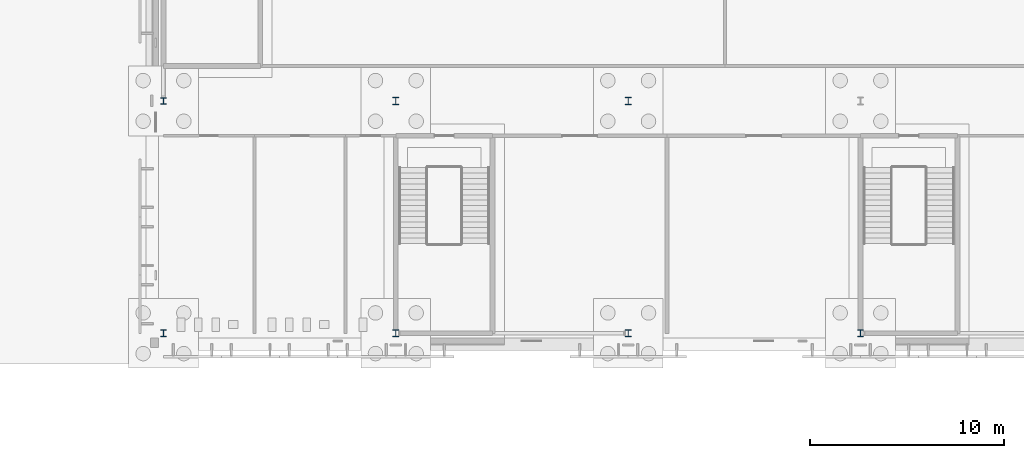
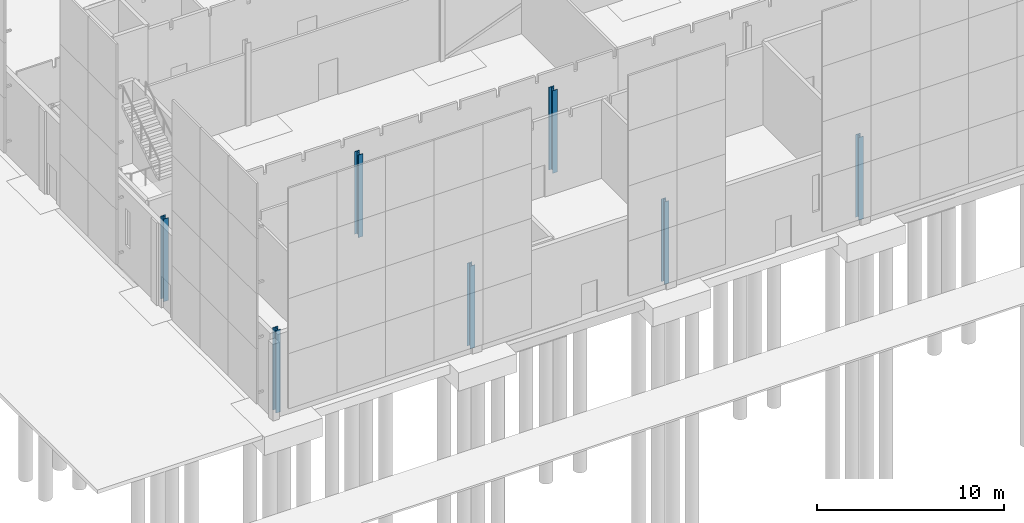
# One storey, part 13 of 132: 7 columns.
"""IFC4 building model written with IfcOpenShell, lengths in metres."""

from ifc_helpers import new_model, si_unit, direction, frame, origin, origin_2d, place, context, subcontext, project, spatial, i_section, extrude, material, material_profile, profile_set, type_object, element, save


model = new_model("IFC4")

# Units and contexts
model_context = context("Model", 3, precision=1e-05, world=origin(), true_north=direction((0.0, 1.0)))
body_context = subcontext(model_context, "Body", "Model", "MODEL_VIEW")
ifc_project = project(units=[si_unit("LENGTHUNIT", "METRE"), si_unit("AREAUNIT", "SQUARE_METRE"), si_unit("VOLUMEUNIT", "CUBIC_METRE"), si_unit("PLANEANGLEUNIT", "RADIAN"), si_unit("MASSUNIT", "GRAM", prefix="KILO")], contexts=[model_context])

# Site, building, storey
site_placement = place(None, origin())
site = spatial("IfcSite", under=ifc_project, at=site_placement, CompositionType="ELEMENT")
building_placement = place(site_placement, origin())
building = spatial("IfcBuilding", under=site, at=building_placement, Name="Ravi Spectrum Wholesale Market", CompositionType="ELEMENT")
storey_placement = place(building_placement, origin())
storey = spatial("IfcBuildingStorey", under=building, at=storey_placement, Name="L00", CompositionType="ELEMENT", Elevation=0.0)

# Columns
ifc_material_1 = material(Name="Steel S355", Category="steel")
ifc_material_profile_1 = material_profile(ifc_material_1, i_section(OverallWidth=0.300048828125, OverallDepth=0.340087890625, WebThickness=0.011962890625, FlangeThickness=0.021484375, at=origin_2d()))
ifc_profile_set_1 = profile_set([ifc_material_profile_1], Name="Steel S355")
column_type_1 = type_object("IfcColumnType", Name="HEB 340 column", PredefinedType="COLUMN", material=ifc_profile_set_1)
for number, where, z_axis, x_axis, name in (
    (1, (198.0, 18.0, 0.0), (0.0, 0.0, 1.0), (1.0, 0.0, 0.0), "CS-COL-L00-001"),
    (2, (198.0, 30.0, 0.0), (0.0, 0.0, 1.0), (1.0, 0.0, 0.0), "CS-COL-L00-002"),
    (3, (210.0, 18.0, 0.0), (0.0, 0.0, 1.0), (1.0, 0.0, 0.0), "CS-COL-L00-006"),
    (4, (222.0, 18.0, 0.0), (0.0, 0.0, 1.0), (1.0, 0.0, 0.0), "CS-COL-L00-011"),
    (5, (234.0, 18.0, 0.0), (0.0, 0.0, 1.0), (1.0, 0.0, 0.0), "CS-COL-L00-016"),
):
    element("IfcColumn", number, at=place(storey_placement, frame(where, z_axis=z_axis, x_axis=x_axis)), inside=storey, type_object=column_type_1, Name=name, PredefinedType="COLUMN", context=body_context, shape_type="SweptSolid", body=[
        extrude(i_section(OverallWidth=0.300048828125, OverallDepth=0.340087890625, WebThickness=0.011962890625, FlangeThickness=0.021484375, at=origin_2d()), origin(), (0.0, 0.0, 1.0), 5.39990234375),
    ])
ifc_material_2 = material(Name="Steel S355", Category="steel")
ifc_material_profile_2 = material_profile(ifc_material_2, i_section(OverallWidth=0.300048828125, OverallDepth=0.39990234375, WebThickness=0.013427734375, FlangeThickness=0.02392578125, at=origin_2d()))
ifc_profile_set_2 = profile_set([ifc_material_profile_2], Name="Steel S355")
column_type_2 = type_object("IfcColumnType", Name="HEB 400 column", PredefinedType="COLUMN", material=ifc_profile_set_2)
for number, where, z_axis, x_axis, name in (
    (6, (210.0, 30.0, 0.0), (0.0, 0.0, 1.0), (1.0, 0.0, 0.0), "CS-COL-L00-007"),
    (7, (222.0, 30.0, 0.0), (0.0, 0.0, 1.0), (1.0, 0.0, 0.0), "CS-COL-L00-012"),
):
    element("IfcColumn", number, at=place(storey_placement, frame(where, z_axis=z_axis, x_axis=x_axis)), inside=storey, type_object=column_type_2, Name=name, PredefinedType="COLUMN", context=body_context, shape_type="SweptSolid", body=[
        extrude(i_section(OverallWidth=0.300048828125, OverallDepth=0.39990234375, WebThickness=0.013427734375, FlangeThickness=0.02392578125, at=origin_2d()), origin(), (0.0, 0.0, 1.0), 5.39990234375),
    ])

save(model, "model.ifc")
